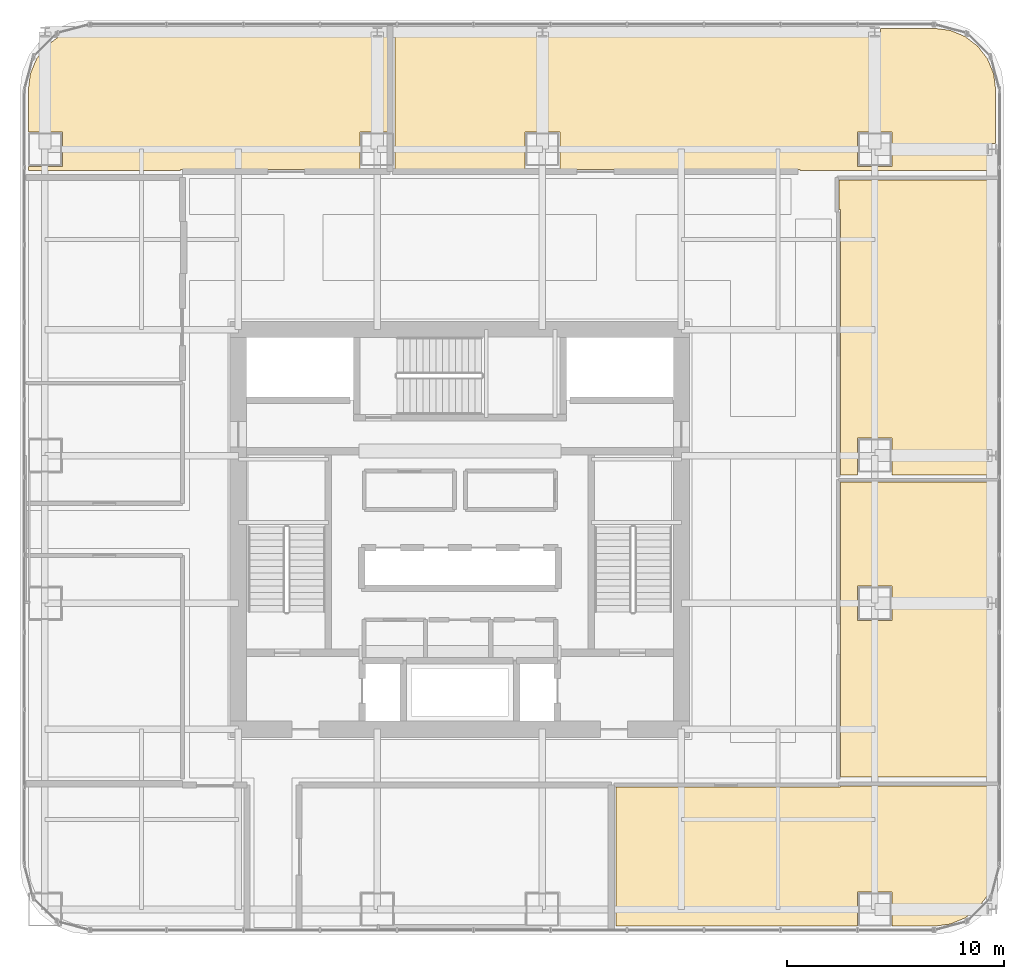
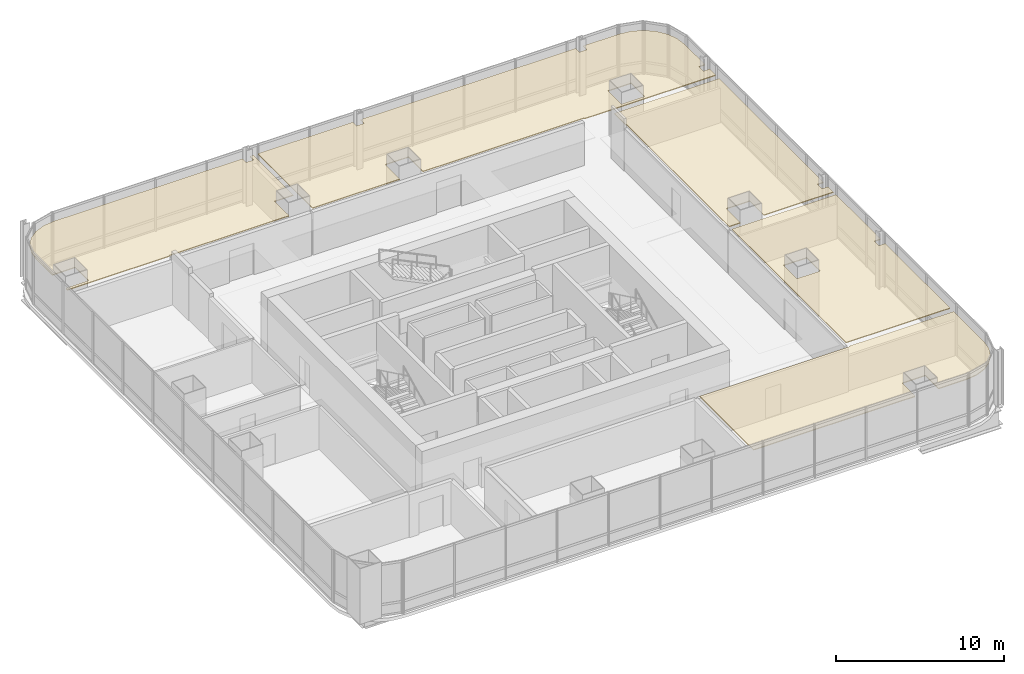
# One storey, part 34 of 34: 5 coverings.
"""IFC4 building model written with IfcOpenShell, lengths in metres."""

import ifcopenshell
import ifcopenshell.guid

model = None  # the IFC model being written
_history = None  # IfcOwnerHistory: only IFC2X3 demands one
_inside = {}  # id of a spatial element -> (the spatial element, [elements in it])
_under = {}  # id of a project, library or spatial element -> (it, [spatial elements below it])
_declared = {}  # id of a project -> (the project, [libraries it declares])
_typed = {}  # id of a type object -> (the type object, [elements of that type])
_made_of = {}  # id of a material, layer set ... -> (it, [elements and type objects made of it])


def new_model(schema):
    """Start an empty IFC model of exactly this schema.

    Asked for "IFC4X3", IfcOpenShell would pick the latest addendum, in which some entities
    have other attributes; the version numbers below select the first issue.
    IFC2X3 requires an IfcOwnerHistory on every rooted entity: one is made here for all.
    """
    global model, _history
    if schema == "IFC4X3":
        model = ifcopenshell.file(schema_version=(4, 3, 0, 0))
    else:
        model = ifcopenshell.file(schema=schema)
    _inside.clear()
    _under.clear()
    _declared.clear()
    _typed.clear()
    _made_of.clear()
    _history = None
    if model.schema == "IFC2X3":
        org = make("IfcOrganization", Name="unknown")
        user = make(
            "IfcPersonAndOrganization",
            ThePerson=make("IfcPerson", FamilyName="unknown"),
            TheOrganization=org,
        )
        app = make(
            "IfcApplication",
            ApplicationDeveloper=org,
            Version="unknown",
            ApplicationFullName="unknown",
            ApplicationIdentifier="unknown",
        )
        _history = make(
            "IfcOwnerHistory",
            OwningUser=user,
            OwningApplication=app,
            ChangeAction="ADDED",
            CreationDate=0,
        )
    return model


def make(cls, **values):
    """One entity of the class cls with the attributes given. An attribute that is None is left unset."""
    return model.create_entity(
        cls, **{name: value for name, value in values.items() if value is not None}
    )


def rooted(cls, **values):
    """An entity with a GlobalId (a new one), such as an element, a storey or a relation."""
    return make(cls, GlobalId=ifcopenshell.guid.new(), OwnerHistory=_history, **values)


def si_unit(unit_type, name, prefix=None):
    """IfcSIUnit, for example si_unit("LENGTHUNIT", "METRE", prefix="MILLI")."""
    return make("IfcSIUnit", UnitType=unit_type, Prefix=prefix, Name=name)


def assignment(units):
    """IfcUnitAssignment: the units of a project."""
    return None if units is None else make("IfcUnitAssignment", Units=units)


def point(xyz):
    """IfcCartesianPoint."""
    return None if xyz is None else make("IfcCartesianPoint", Coordinates=xyz)


def direction(xyz):
    """IfcDirection."""
    return None if xyz is None else make("IfcDirection", DirectionRatios=xyz)


def frame(location, z_axis=None, x_axis=None):
    """IfcAxis2Placement3D, a coordinate frame: its origin and axes. An axis left out is left unset."""
    return make(
        "IfcAxis2Placement3D",
        Location=point(location),
        Axis=direction(z_axis),
        RefDirection=direction(x_axis),
    )


def origin():
    """The frame at (0, 0, 0) with its axes left unset."""
    return frame((0.0, 0.0, 0.0))


def place(relative_to, where):
    """IfcLocalPlacement: puts the frame where relative to a parent placement (None: the world)."""
    return make(
        "IfcLocalPlacement", PlacementRelTo=relative_to, RelativePlacement=where
    )


def context(
    kind, dimensions, precision=None, world=None, true_north=None, identifier=None
):
    """IfcGeometricRepresentationContext, for example the 3D "Model" context."""
    return make(
        "IfcGeometricRepresentationContext",
        ContextIdentifier=identifier,
        ContextType=kind,
        CoordinateSpaceDimension=dimensions,
        Precision=precision,
        WorldCoordinateSystem=world,
        TrueNorth=true_north,
    )


def subcontext(parent, identifier, kind, view, scale=None):
    """IfcGeometricRepresentationSubContext, for example "Body" below "Model"."""
    return make(
        "IfcGeometricRepresentationSubContext",
        ContextIdentifier=identifier,
        ContextType=kind,
        ParentContext=parent,
        TargetScale=scale,
        TargetView=view,
    )


def project(units=None, contexts=None):
    """IfcProject with its units and contexts."""
    return rooted(
        "IfcProject",
        Name="project",
        RepresentationContexts=contexts,
        UnitsInContext=assignment(units),
    )


def spatial(cls, under=None, at=None, **own):
    """A site, building, storey or space (cls), placed at a placement, below another one or the project."""
    s = rooted(cls, ObjectPlacement=at, **own)
    if under is not None:
        _under.setdefault(under.id(), (under, []))[1].append(s)
    return s


def polyline(points):
    """IfcPolyline through the points."""
    return make("IfcPolyline", Points=[point(p) for p in points])


def outline(outer, holes=None, kind="AREA"):
    """IfcArbitraryClosedProfileDef: a profile drawn as a closed curve; with holes, ...WithVoids."""
    if holes is None:
        return make("IfcArbitraryClosedProfileDef", ProfileType=kind, OuterCurve=outer)
    return make(
        "IfcArbitraryProfileDefWithVoids",
        ProfileType=kind,
        OuterCurve=outer,
        InnerCurves=holes,
    )


def extrude(swept, where, along, depth):
    """IfcExtrudedAreaSolid: the profile swept, set in the frame where, extruded along a direction by depth."""
    return make(
        "IfcExtrudedAreaSolid",
        SweptArea=swept,
        Position=where,
        ExtrudedDirection=direction(along),
        Depth=depth,
    )


def shape(context_of_items, identifier, shape_type, items):
    """IfcShapeRepresentation: the items that make up one representation, for example the "Body"."""
    return make(
        "IfcShapeRepresentation",
        ContextOfItems=context_of_items,
        RepresentationIdentifier=identifier,
        RepresentationType=shape_type,
        Items=items,
    )


def material(Name=None, Category=None):
    """IfcMaterial."""
    return make("IfcMaterial", Name=Name, Category=Category)


def layer(
    of_material, thickness, ventilated=None, Name=None, Category=None, Priority=None
):
    """IfcMaterialLayer: one layer of a wall or slab, of a material (None: an air gap)."""
    return make(
        "IfcMaterialLayer",
        Material=of_material,
        LayerThickness=thickness,
        IsVentilated=ventilated,
        Name=Name,
        Category=Category,
        Priority=Priority,
    )


def layer_set(layers, Name=None):
    """IfcMaterialLayerSet."""
    return make("IfcMaterialLayerSet", MaterialLayers=layers, LayerSetName=Name)


def made_of(thing, what):
    """Note that an element or type object is made of a material, layer set ...; save() writes the relation."""
    if what is not None:
        _made_of.setdefault(what.id(), (what, []))[1].append(thing)
    return thing


def type_object(cls, material=None, **own):
    """A type object (cls), such as IfcWallType, which elements share."""
    return made_of(rooted(cls, **own), material)


def element(
    cls,
    number,
    at=None,
    inside=None,
    cuts=None,
    type_object=None,
    material=None,
    context=None,
    identifier="Body",
    shape_type=None,
    held_by="IfcProductDefinitionShape",
    body=None,
    shapes=None,
    **own,
):
    """One element of the class cls, such as IfcWall. Its Tag is "e" and its number.

    at: its placement. inside: the storey or other place that contains it. cuts: it is an
    opening in that element (IfcRelVoidsElement). A single representation is given by context,
    identifier, shape_type and body (its items); several are given by shapes. held_by: the class
    of the entity that holds the representations. save() writes the other relations.
    """
    e = rooted(cls, Tag="e%d" % number, ObjectPlacement=at, **own)
    if body is not None:
        shapes = [shape(context, identifier, shape_type, body)]
    if shapes is not None:
        e.Representation = make(held_by, Representations=shapes)
    if inside is not None:
        _inside.setdefault(inside.id(), (inside, []))[1].append(e)
    if cuts is not None:
        rooted(
            "IfcRelVoidsElement", RelatingBuildingElement=cuts, RelatedOpeningElement=e
        )
    if type_object is not None:
        _typed.setdefault(type_object.id(), (type_object, []))[1].append(e)
    return made_of(e, material)


def aggregate(whole, parts):
    """IfcRelAggregates: a whole, such as a stair, and the parts it consists of."""
    return rooted("IfcRelAggregates", RelatingObject=whole, RelatedObjects=parts)


def save(model, path):
    """Write the relations noted so far, then the file.

    IfcRelAggregates (storeys below a building ...), IfcRelContainedInSpatialStructure (elements
    in a storey), IfcRelDefinesByType, IfcRelAssociatesMaterial and IfcRelDeclares: one each for
    every whole, place, type object, material and project.
    """
    for whole, parts in _under.values():
        aggregate(whole, parts)
    for where, things in _inside.values():
        rooted(
            "IfcRelContainedInSpatialStructure",
            RelatedElements=things,
            RelatingStructure=where,
        )
    for kind, things in _typed.values():
        rooted("IfcRelDefinesByType", RelatedObjects=things, RelatingType=kind)
    for what, things in _made_of.values():
        rooted("IfcRelAssociatesMaterial", RelatedObjects=things, RelatingMaterial=what)
    for by, libraries in _declared.values():
        rooted("IfcRelDeclares", RelatingContext=by, RelatedDefinitions=libraries)
    model.write(path)


model = new_model("IFC4")

# Units and contexts
model_context = context("Model", 3, precision=1e-05, world=origin(), true_north=direction((0.0, 1.0)))
body_context = subcontext(model_context, "Body", "Model", "MODEL_VIEW")
ifc_project = project(units=[si_unit("LENGTHUNIT", "METRE"), si_unit("AREAUNIT", "SQUARE_METRE"), si_unit("VOLUMEUNIT", "CUBIC_METRE"), si_unit("PLANEANGLEUNIT", "RADIAN"), si_unit("MASSUNIT", "GRAM", prefix="KILO")], contexts=[model_context])

# Site, building, storey
site_placement = place(None, origin())
site = spatial("IfcSite", under=ifc_project, at=site_placement, CompositionType="ELEMENT")
building_placement = place(site_placement, origin())
building = spatial("IfcBuilding", under=site, at=building_placement, Name="Punatoya Terracotta Tower", CompositionType="ELEMENT")
storey_placement = place(building_placement, frame((0.0, 0.0, 101.10009765625)))
storey = spatial("IfcBuildingStorey", under=building, at=storey_placement, Name="L23", CompositionType="ELEMENT", Elevation=101.10009765625)

# Coverings
ifc_material = material(Name="Acoustic Mineral Fibre Ceiling")
ifc_layer = layer(ifc_material, 0.06005859375)
ifc_layer_set = layer_set([ifc_layer], Name="Acoustic Mineral Fibre Ceiling")
covering_type = type_object("IfcCoveringType", Name="COV-CEIL-60", PredefinedType="CEILING", material=ifc_layer_set)
covering_1_placement = place(storey_placement, frame((0.0, 0.0, 3.199951171875)))
element("IfcCovering", 1, at=covering_1_placement, inside=storey, type_object=covering_type, Name="L23 Open-Plan Catering Tea Pantry Acoustic Ceiling", PredefinedType="CEILING", context=body_context, shape_type="SweptSolid", body=[
    extrude(outline(polyline([(17.52001953125, -11.8701171875), (7.18994140625, -11.8701171875), (7.18994140625, -18.27001953125), (18.300048828125, -18.27001953125), (18.300048828125, -16.699951171875), (19.89990234375, -16.699951171875), (19.89990234375, -18.27001953125), (21.8251953125, -18.27001953125), (22.5791015625, -18.1708984375), (23.25830078125, -17.889404296875), (23.841796875, -17.441650390625), (24.289306640625, -16.8583984375), (24.57080078125, -16.178955078125), (24.669921875, -15.425048828125), (24.669921875, -11.81005859375), (17.52001953125, -11.81005859375), (17.52001953125, -11.8701171875)])), origin(), (0.0, 0.0, 1.0), 0.06005859375),
])
covering_2_placement = place(storey_placement, frame((0.0, 0.0, 3.199951171875)))
element("IfcCovering", 2, at=covering_2_placement, inside=storey, type_object=covering_type, Name="L23 Open-Plan Private Dining Boardroom Acoustic Ceiling", PredefinedType="CEILING", context=body_context, shape_type="SweptSolid", body=[
    extrude(outline(polyline([(24.669921875, -3.126953125), (24.669921875, 2.18994140625), (17.52001953125, 2.18994140625), (17.52001953125, -11.389892578125), (24.669921875, -11.389892578125), (24.669921875, -3.673095703125), (24.241943359375, -3.673095703125), (24.241943359375, -3.126953125), (24.669921875, -3.126953125)]), holes=[polyline([(18.300048828125, -4.199951171875), (18.300048828125, -2.60009765625), (19.89990234375, -2.60009765625), (19.89990234375, -4.199951171875), (18.300048828125, -4.199951171875)])]), origin(), (0.0, 0.0, 1.0), 0.06005859375),
])
covering_3_placement = place(storey_placement, frame((0.0, 0.0, 3.199951171875)))
element("IfcCovering", 3, at=covering_3_placement, inside=storey, type_object=covering_type, Name="L23 Open-Plan Barista Espresso Pantry Acoustic Ceiling", PredefinedType="CEILING", context=body_context, shape_type="SweptSolid", body=[
    extrude(outline(polyline([(17.4599609375, 14.719970703125), (17.52001953125, 14.719970703125), (17.52001953125, 2.510009765625), (18.300048828125, 2.510009765625), (18.300048828125, 4.199951171875), (19.89990234375, 4.199951171875), (19.89990234375, 2.510009765625), (24.669921875, 2.510009765625), (24.669921875, 3.126953125), (24.241943359375, 3.126953125), (24.241943359375, 3.673095703125), (24.669921875, 3.673095703125), (24.669921875, 16.090087890625), (17.4599609375, 16.090087890625), (17.4599609375, 14.719970703125)])), origin(), (0.0, 0.0, 1.0), 0.06005859375),
])
covering_4_placement = place(storey_placement, frame((0.0, 0.0, 3.199951171875)))
element("IfcCovering", 4, at=covering_4_placement, inside=storey, type_object=covering_type, Name="L23 Open-Plan Terrace Refreshment Lounge Acoustic Ceiling", PredefinedType="CEILING", context=body_context, shape_type="SweptSolid", body=[
    extrude(outline(polyline([(-17.779052734375, 22.970703125), (-18.458251953125, 22.689453125), (-19.041748046875, 22.24169921875), (-19.489501953125, 21.658203125), (-19.770751953125, 20.97900390625), (-19.8701171875, 20.22509765625), (-19.8701171875, 18.300048828125), (-18.300048828125, 18.300048828125), (-18.300048828125, 16.699951171875), (-19.8701171875, 16.699951171875), (-19.8701171875, 16.510009765625), (-12.8701171875, 16.510009765625), (-12.8701171875, 16.570068359375), (-4.60009765625, 16.570068359375), (-4.60009765625, 18.300048828125), (-3.31591796875, 18.300048828125), (-3.31591796875, 23.070068359375), (-3.5419921875, 23.070068359375), (-3.5419921875, 22.626953125), (-4.05810546875, 22.626953125), (-4.05810546875, 23.070068359375), (-17.025146484375, 23.070068359375), (-17.779052734375, 22.970703125)])), origin(), (0.0, 0.0, 1.0), 0.06005859375),
])
covering_5_placement = place(storey_placement, frame((0.0, 0.0, 3.199951171875)))
element("IfcCovering", 5, at=covering_5_placement, inside=storey, type_object=covering_type, Name="L23 Hospitality Hosting Lounge Acoustic Ceiling", PredefinedType="CEILING", context=body_context, shape_type="SweptSolid", body=[
    extrude(outline(polyline([(3.0, 16.570068359375), (3.0, 18.300048828125), (4.60009765625, 18.300048828125), (4.60009765625, 16.570068359375), (15.669921875, 16.570068359375), (15.669921875, 16.510009765625), (24.669921875, 16.510009765625), (24.669921875, 17.22705078125), (24.241943359375, 17.22705078125), (24.241943359375, 17.77294921875), (24.669921875, 17.77294921875), (24.669921875, 20.22509765625), (24.57080078125, 20.97900390625), (24.289306640625, 21.658203125), (23.841796875, 22.24169921875), (23.25830078125, 22.689453125), (22.5791015625, 22.970703125), (21.8251953125, 23.070068359375), (19.35791015625, 23.070068359375), (19.35791015625, 22.626953125), (18.842041015625, 22.626953125), (18.842041015625, 23.070068359375), (4.05810546875, 23.070068359375), (4.05810546875, 22.626953125), (3.5419921875, 22.626953125), (3.5419921875, 23.070068359375), (-2.99609375, 23.070068359375), (-2.99609375, 16.570068359375), (3.0, 16.570068359375)]), holes=[polyline([(19.89990234375, 18.300048828125), (19.89990234375, 16.699951171875), (18.300048828125, 16.699951171875), (18.300048828125, 18.300048828125), (19.89990234375, 18.300048828125)])]), origin(), (0.0, 0.0, 1.0), 0.06005859375),
])

save(model, "model.ifc")
